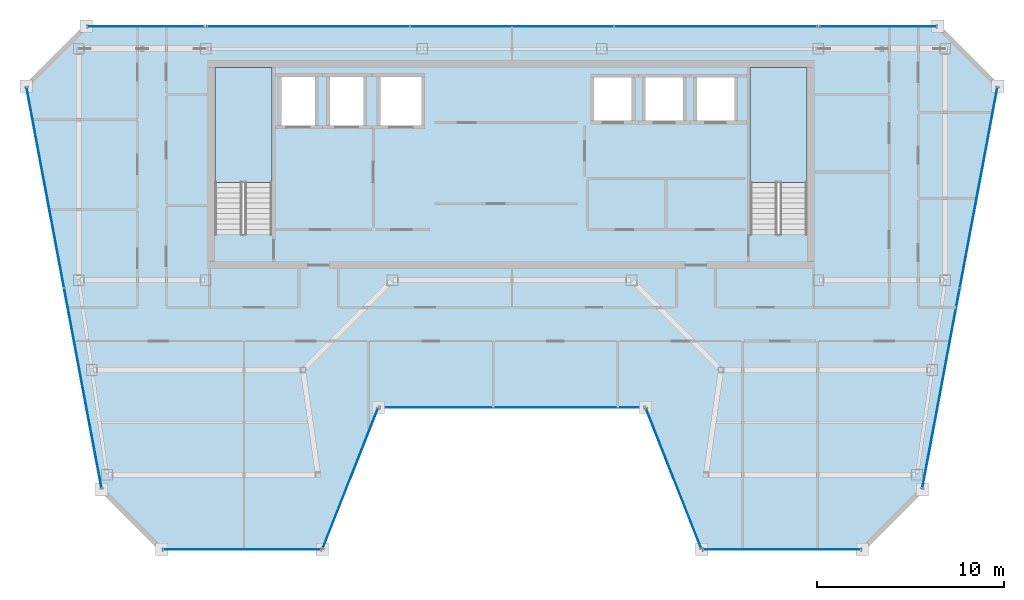
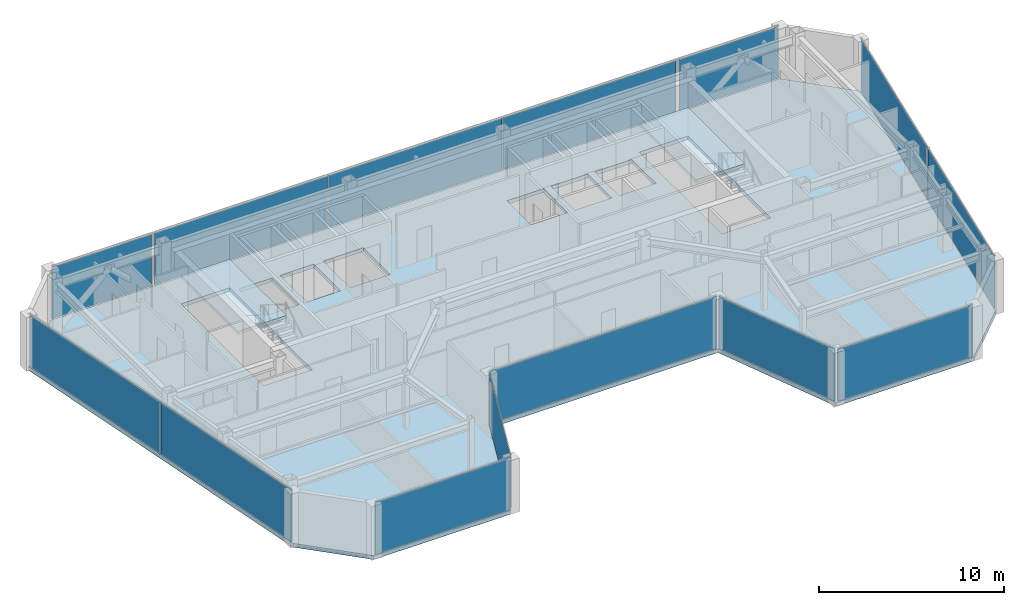
# One storey, part 17 of 23: 14 plates, 3 slabs, 12 elements without a shape of their own.
"""IFC4 building model written with IfcOpenShell, lengths in metres."""

from ifc_helpers import new_model, si_unit, direction, frame, origin, origin_2d, place, context, subcontext, project, spatial, polyline, rectangle, outline, extrude, material, layer, layer_set, type_object, element, aggregate, save


model = new_model("IFC4")

# Units and contexts
model_context = context("Model", 3, precision=1e-05, world=origin(), true_north=direction((0.0, 1.0)))
body_context = subcontext(model_context, "Body", "Model", "MODEL_VIEW")
ifc_project = project(units=[si_unit("LENGTHUNIT", "METRE"), si_unit("AREAUNIT", "SQUARE_METRE"), si_unit("VOLUMEUNIT", "CUBIC_METRE"), si_unit("PLANEANGLEUNIT", "RADIAN"), si_unit("MASSUNIT", "GRAM", prefix="KILO")], contexts=[model_context])

# Site, building, storey
site_placement = place(None, origin())
site = spatial("IfcSite", under=ifc_project, at=site_placement, CompositionType="ELEMENT")
building_placement = place(site_placement, origin())
building = spatial("IfcBuilding", under=site, at=building_placement, Name="Saevonmaru Cultural Tower", CompositionType="ELEMENT")
storey_placement = place(building_placement, frame((0.0, 0.0, 280.0)))
storey = spatial("IfcBuildingStorey", under=building, at=storey_placement, Name="L66", CompositionType="ELEMENT", Elevation=280.0)

# Curtain wall, plate
ifc_material_1 = material(Name="Satin Bronze Anodised Aluminium", Category="aluminium")
curtain_wall_type = type_object("IfcCurtainWallType", Name="CW-TYP-B", PredefinedType="NOTDEFINED", material=ifc_material_1)
curtain_wall_1_placement = place(storey_placement, origin())
curtain_wall_1 = element("IfcCurtainWall", 1, at=curtain_wall_1_placement, inside=storey, type_object=curtain_wall_type, Name="L66 Unitised Curtain Wall E2", PredefinedType="NOTDEFINED")
ifc_material_2 = material(Name="Triple Silver Low-E Insulating Glass", Category="glass")
ifc_layer_1 = layer(ifc_material_2, 0.035888671875, Name="Triple Silver Low-E Insulating Glass")
ifc_layer_set_1 = layer_set([ifc_layer_1], Name="Triple Silver Low-E Insulating Glass")
plate_type_1 = type_object("IfcPlateType", Name="PN-GLZ-IGU", PredefinedType="CURTAIN_PANEL", material=ifc_layer_set_1)
plate_1_placement = place(storey_placement, frame((15.54443359375, 28.0, 0.06689453125), z_axis=(0.0, 0.0, 1.0), x_axis=(1.0, 0.0, 0.0)))
plate_1 = element("IfcPlate", 2, at=plate_1_placement, type_object=plate_type_1, Name="CW-TW-L66-E2 panel 1.1", PredefinedType="CURTAIN_PANEL", context=body_context, shape_type="SweptSolid", body=[
    extrude(rectangle(XDim=8.410888671875, YDim=0.035888671875, at=origin_2d()), origin(), (0.0, 0.0, 1.0), 3.416015625),
])
aggregate(curtain_wall_1, [plate_1])

curtain_wall_2_placement = place(storey_placement, origin())
curtain_wall_2 = element("IfcCurtainWall", 3, at=curtain_wall_2_placement, inside=storey, type_object=curtain_wall_type, Name="L66 Unitised Curtain Wall E3", PredefinedType="NOTDEFINED")
plate_2_placement = place(storey_placement, frame((21.344482421875, 31.800048828125, 0.06689453125), z_axis=(0.0, 0.0, 1.0), x_axis=(0.367172185578, 0.930152990716, 0.0)))
plate_2 = element("IfcPlate", 4, at=plate_2_placement, type_object=plate_type_1, Name="CW-TW-L66-E3 panel 1.1", PredefinedType="CURTAIN_PANEL", context=body_context, shape_type="SweptSolid", body=[
    extrude(rectangle(XDim=7.981689453125, YDim=0.035888671875, at=origin_2d()), origin(), (0.0, 0.0, 1.0), 3.416015625),
])
aggregate(curtain_wall_2, [plate_2])

curtain_wall_3_placement = place(storey_placement, origin())
curtain_wall_3 = element("IfcCurtainWall", 5, at=curtain_wall_3_placement, inside=storey, type_object=curtain_wall_type, Name="L66 Unitised Curtain Wall E4", PredefinedType="NOTDEFINED")
plate_3_placement = place(storey_placement, frame((30.0, 35.60009765625, 0.06689453125), z_axis=(0.0, 0.0, 1.0), x_axis=(1.0, 0.0, 0.0)))
plate_3 = element("IfcPlate", 6, at=plate_3_placement, type_object=plate_type_1, Name="CW-TW-L66-E4 panel 1.1", PredefinedType="CURTAIN_PANEL", context=body_context, shape_type="SweptSolid", body=[
    extrude(rectangle(XDim=14.122314453125, YDim=0.035888671875, at=origin_2d()), origin(), (0.0, 0.0, 1.0), 3.416015625),
])
aggregate(curtain_wall_3, [plate_3])

curtain_wall_4_placement = place(storey_placement, origin())
curtain_wall_4 = element("IfcCurtainWall", 7, at=curtain_wall_4_placement, inside=storey, type_object=curtain_wall_type, Name="L66 Unitised Curtain Wall E5", PredefinedType="NOTDEFINED")
plate_4_placement = place(storey_placement, frame((38.655517578125, 31.800048828125, 0.06689453125), z_axis=(0.0, 0.0, 1.0), x_axis=(0.367172185578, -0.930152990716, 0.0)))
plate_4 = element("IfcPlate", 8, at=plate_4_placement, type_object=plate_type_1, Name="CW-TW-L66-E5 panel 1.1", PredefinedType="CURTAIN_PANEL", context=body_context, shape_type="SweptSolid", body=[
    extrude(rectangle(XDim=7.981689453125, YDim=0.035888671875, at=origin_2d()), origin(), (0.0, 0.0, 1.0), 3.416015625),
])
aggregate(curtain_wall_4, [plate_4])

curtain_wall_5_placement = place(storey_placement, origin())
curtain_wall_5 = element("IfcCurtainWall", 9, at=curtain_wall_5_placement, inside=storey, type_object=curtain_wall_type, Name="L66 Unitised Curtain Wall E6", PredefinedType="NOTDEFINED")
plate_5_placement = place(storey_placement, frame((44.45556640625, 28.0, 0.06689453125), z_axis=(0.0, 0.0, 1.0), x_axis=(1.0, 0.0, 0.0)))
plate_5 = element("IfcPlate", 10, at=plate_5_placement, type_object=plate_type_1, Name="CW-TW-L66-E6 panel 1.1", PredefinedType="CURTAIN_PANEL", context=body_context, shape_type="SweptSolid", body=[
    extrude(rectangle(XDim=8.410888671875, YDim=0.035888671875, at=origin_2d()), origin(), (0.0, 0.0, 1.0), 3.416015625),
])
aggregate(curtain_wall_5, [plate_5])

# Curtain wall, plates
curtain_wall_6_placement = place(storey_placement, origin())
curtain_wall_6 = element("IfcCurtainWall", 11, at=curtain_wall_6_placement, inside=storey, type_object=curtain_wall_type, Name="L66 Unitised Curtain Wall E8", PredefinedType="NOTDEFINED")
plate_6_placement = place(storey_placement, frame((52.97216796875, 36.62939453125, 0.06689453125), z_axis=(0.0, 0.0, 1.0), x_axis=(0.184046528232, 0.982917532373, 0.0)))
plate_6 = element("IfcPlate", 12, at=plate_6_placement, type_object=plate_type_1, Name="CW-TW-L66-E8 panel 1.1", PredefinedType="CURTAIN_PANEL", context=body_context, shape_type="SweptSolid", body=[
    extrude(rectangle(XDim=10.858642578125, YDim=0.035888671875, at=origin_2d()), origin(), (0.0, 0.0, 1.0), 3.416015625),
])
plate_7_placement = place(storey_placement, frame((54.9833984375, 47.37060546875, 0.06689453125), z_axis=(0.0, 0.0, 1.0), x_axis=(0.184046528232, 0.982917532373, 0.0)))
plate_7 = element("IfcPlate", 13, at=plate_7_placement, type_object=plate_type_1, Name="CW-TW-L66-E8 panel 2.1", PredefinedType="CURTAIN_PANEL", context=body_context, shape_type="SweptSolid", body=[
    extrude(rectangle(XDim=10.858642578125, YDim=0.035888671875, at=origin_2d()), origin(), (0.0, 0.0, 1.0), 3.416015625),
])
aggregate(curtain_wall_6, [plate_6, plate_7])

curtain_wall_7_placement = place(storey_placement, origin())
curtain_wall_7 = element("IfcCurtainWall", 14, at=curtain_wall_7_placement, inside=storey, type_object=curtain_wall_type, Name="L66 North Spine Unitised Curtain Wall E10B", PredefinedType="NOTDEFINED")
plate_8_placement = place(storey_placement, frame((40.893310546875, 56.0, 0.06689453125), z_axis=(0.0, 0.0, 1.0), x_axis=(-1.0, 0.0, 0.0)))
plate_8 = element("IfcPlate", 15, at=plate_8_placement, type_object=plate_type_1, Name="CW-TW-L66-E10B panel 1.1", PredefinedType="CURTAIN_PANEL", context=body_context, shape_type="SweptSolid", body=[
    extrude(rectangle(XDim=10.82421875, YDim=0.035888671875, at=origin_2d()), origin(), (0.0, 0.0, 1.0), 3.416015625),
])
plate_9_placement = place(storey_placement, frame((30.0, 56.0, 0.06689453125), z_axis=(0.0, 0.0, 1.0), x_axis=(-1.0, 0.0, 0.0)))
plate_9 = element("IfcPlate", 16, at=plate_9_placement, type_object=plate_type_1, Name="CW-TW-L66-E10B panel 2.1", PredefinedType="CURTAIN_PANEL", context=body_context, shape_type="SweptSolid", body=[
    extrude(rectangle(XDim=10.82421875, YDim=0.035888671875, at=origin_2d()), origin(), (0.0, 0.0, 1.0), 3.416015625),
])
plate_10_placement = place(storey_placement, frame((19.106689453125, 56.0, 0.06689453125), z_axis=(0.0, 0.0, 1.0), x_axis=(-1.0, 0.0, 0.0)))
plate_10 = element("IfcPlate", 17, at=plate_10_placement, type_object=plate_type_1, Name="CW-TW-L66-E10B panel 3.1", PredefinedType="CURTAIN_PANEL", context=body_context, shape_type="SweptSolid", body=[
    extrude(rectangle(XDim=10.82421875, YDim=0.035888671875, at=origin_2d()), origin(), (0.0, 0.0, 1.0), 3.416015625),
])
aggregate(curtain_wall_7, [plate_8, plate_9, plate_10])

curtain_wall_8_placement = place(storey_placement, origin())
curtain_wall_8 = element("IfcCurtainWall", 18, at=curtain_wall_8_placement, inside=storey, type_object=curtain_wall_type, Name="L66 Unitised Curtain Wall E12", PredefinedType="NOTDEFINED")
plate_11_placement = place(storey_placement, frame((5.0166015625, 47.37060546875, 0.06689453125), z_axis=(0.0, 0.0, 1.0), x_axis=(0.184046528232, -0.982917532373, 0.0)))
plate_11 = element("IfcPlate", 19, at=plate_11_placement, type_object=plate_type_1, Name="CW-TW-L66-E12 panel 1.1", PredefinedType="CURTAIN_PANEL", context=body_context, shape_type="SweptSolid", body=[
    extrude(rectangle(XDim=10.858642578125, YDim=0.035888671875, at=origin_2d()), origin(), (0.0, 0.0, 1.0), 3.416015625),
])
plate_12_placement = place(storey_placement, frame((7.02783203125, 36.62939453125, 0.06689453125), z_axis=(0.0, 0.0, 1.0), x_axis=(0.184046528232, -0.982917532373, 0.0)))
plate_12 = element("IfcPlate", 20, at=plate_12_placement, type_object=plate_type_1, Name="CW-TW-L66-E12 panel 2.1", PredefinedType="CURTAIN_PANEL", context=body_context, shape_type="SweptSolid", body=[
    extrude(rectangle(XDim=10.858642578125, YDim=0.035888671875, at=origin_2d()), origin(), (0.0, 0.0, 1.0), 3.416015625),
])
aggregate(curtain_wall_8, [plate_11, plate_12])

# Curtain wall, plate
curtain_wall_9_placement = place(storey_placement, origin())
curtain_wall_9 = element("IfcCurtainWall", 21, at=curtain_wall_9_placement, inside=storey, type_object=curtain_wall_type, Name="L66 East Braced Bay Spandrel Curtain Wall E10A", PredefinedType="NOTDEFINED")
ifc_material_3 = material(Name="Insulated Satin Bronze Aluminium Spandrel Panel", Category="aluminium")
ifc_layer_2 = layer(ifc_material_3, 0.0400390625, Name="Insulated Satin Bronze Aluminium Spandrel Panel")
ifc_layer_set_2 = layer_set([ifc_layer_2], Name="Insulated Satin Bronze Aluminium Spandrel Panel")
plate_type_2 = type_object("IfcPlateType", Name="PN-SPANDREL-BRONZE", PredefinedType="CURTAIN_PANEL", material=ifc_layer_set_2)
plate_13_placement = place(storey_placement, frame((49.60009765625, 56.0, 0.06689453125), z_axis=(0.0, 0.0, 1.0), x_axis=(-1.0, 0.0, 0.0)))
plate_13 = element("IfcPlate", 22, at=plate_13_placement, type_object=plate_type_2, Name="CW-TW-L66-E10A panel 1.1", PredefinedType="CURTAIN_PANEL", context=body_context, shape_type="SweptSolid", body=[
    extrude(rectangle(XDim=6.2109375, YDim=0.035888671875, at=origin_2d()), origin(), (0.0, 0.0, 1.0), 3.416015625),
])
aggregate(curtain_wall_9, [plate_13])

curtain_wall_10_placement = place(storey_placement, origin())
curtain_wall_10 = element("IfcCurtainWall", 23, at=curtain_wall_10_placement, inside=storey, type_object=curtain_wall_type, Name="L66 West Braced Bay Spandrel Curtain Wall E10C", PredefinedType="NOTDEFINED")
plate_14_placement = place(storey_placement, frame((10.39990234375, 56.0, 0.06689453125), z_axis=(0.0, 0.0, 1.0), x_axis=(-1.0, 0.0, 0.0)))
plate_14 = element("IfcPlate", 24, at=plate_14_placement, type_object=plate_type_2, Name="CW-TW-L66-E10C panel 1.1", PredefinedType="CURTAIN_PANEL", context=body_context, shape_type="SweptSolid", body=[
    extrude(rectangle(XDim=6.2109375, YDim=0.035888671875, at=origin_2d()), origin(), (0.0, 0.0, 1.0), 3.416015625),
])
aggregate(curtain_wall_10, [plate_14])

# Slab
ifc_material_4 = material(Name="Concrete C40/50", Category="concrete")
ifc_layer_3 = layer(ifc_material_4, 0.25, Name="Concrete C40/50")
ifc_layer_set_3 = layer_set([ifc_layer_3], Name="Concrete C40/50")
slab_type_1 = type_object("IfcSlabType", Name="SL-FLR-250", PredefinedType="FLOOR", material=ifc_layer_set_3)
slab_1_placement = place(storey_placement, frame((0.0, 0.0, -0.25)))
element("IfcSlab", 25, at=slab_1_placement, inside=storey, type_object=slab_type_1, Name="L66 Tower Structural Floor Slab", PredefinedType="FLOOR", context=body_context, shape_type="SweptSolid", body=[
    extrude(outline(polyline([(8.04443359375, 31.199951171875), (11.244384765625, 28.0), (19.844482421875, 28.0), (22.844482421875, 35.60009765625), (37.155517578125, 35.60009765625), (40.155517578125, 28.0), (48.755615234375, 28.0), (51.95556640625, 31.199951171875), (56.0, 52.800048828125), (52.800048828125, 56.0), (7.199951171875, 56.0), (4.0, 52.800048828125), (8.04443359375, 31.199951171875)]), holes=[polyline([(45.800048828125, 53.800048828125), (45.800048828125, 44.875), (42.75, 44.875), (42.75, 53.800048828125), (45.800048828125, 53.800048828125)]), polyline([(42.050048828125, 50.800048828125), (39.75, 50.800048828125), (39.75, 53.39990234375), (42.050048828125, 53.39990234375), (42.050048828125, 50.800048828125)]), polyline([(39.300048828125, 50.800048828125), (37.0, 50.800048828125), (37.0, 53.39990234375), (39.300048828125, 53.39990234375), (39.300048828125, 50.800048828125)]), polyline([(36.550048828125, 50.800048828125), (34.25, 50.800048828125), (34.25, 53.39990234375), (36.550048828125, 53.39990234375), (36.550048828125, 50.800048828125)]), polyline([(25.300048828125, 50.550048828125), (22.800048828125, 50.550048828125), (22.800048828125, 53.449951171875), (25.300048828125, 53.449951171875), (25.300048828125, 50.550048828125)]), polyline([(22.199951171875, 50.550048828125), (20.10009765625, 50.550048828125), (20.10009765625, 53.449951171875), (22.199951171875, 53.449951171875), (22.199951171875, 50.550048828125)]), polyline([(19.60009765625, 50.550048828125), (17.5, 50.550048828125), (17.5, 53.449951171875), (19.60009765625, 53.449951171875), (19.60009765625, 50.550048828125)]), polyline([(17.14990234375, 53.800048828125), (17.14990234375, 44.875), (14.10009765625, 44.875), (14.10009765625, 53.800048828125), (17.14990234375, 53.800048828125)])]), origin(), (0.0, 0.0, 1.0), 0.25),
])

# Stair, slab
stair_type = type_object("IfcStairType", Name="STR-DOGLEG-RC", PredefinedType="HALF_TURN_STAIR", material=ifc_material_4)
stair_1_placement = place(storey_placement, origin())
stair_1 = element("IfcStair", 26, at=stair_1_placement, inside=storey, type_object=stair_type, Name="L66 Protected exit stair ST-1", PredefinedType="HALF_TURN_STAIR")
ifc_layer_4 = layer(ifc_material_4, 0.199951171875, Name="Concrete C40/50")
ifc_layer_set_4 = layer_set([ifc_layer_4], Name="Concrete C40/50")
slab_type_2 = type_object("IfcSlabType", Name="SL-STAIR-LANDING", PredefinedType="LANDING", material=ifc_layer_set_4)
slab_2_placement = place(storey_placement, frame((0.0, 0.0, 1.699951171875)))
slab_2 = element("IfcSlab", 27, at=slab_2_placement, type_object=slab_type_2, Name="ST-1-L66 landing 1", PredefinedType="LANDING", context=body_context, shape_type="SweptSolid", body=[
    extrude(outline(polyline([(17.14990234375, 47.64990234375), (17.14990234375, 53.800048828125), (14.10009765625, 53.800048828125), (14.10009765625, 47.64990234375), (17.14990234375, 47.64990234375)])), origin(), (0.0, 0.0, 1.0), 0.199951171875),
])
aggregate(stair_1, [slab_2])

stair_2_placement = place(storey_placement, origin())
stair_2 = element("IfcStair", 28, at=stair_2_placement, inside=storey, type_object=stair_type, Name="L66 Protected exit stair ST-2", PredefinedType="HALF_TURN_STAIR")
slab_3_placement = place(storey_placement, frame((0.0, 0.0, 1.699951171875)))
slab_3 = element("IfcSlab", 29, at=slab_3_placement, type_object=slab_type_2, Name="ST-2-L66 landing 1", PredefinedType="LANDING", context=body_context, shape_type="SweptSolid", body=[
    extrude(outline(polyline([(45.800048828125, 47.64990234375), (45.800048828125, 53.800048828125), (42.75, 53.800048828125), (42.75, 47.64990234375), (45.800048828125, 47.64990234375)])), origin(), (0.0, 0.0, 1.0), 0.199951171875),
])
aggregate(stair_2, [slab_3])

save(model, "model.ifc")
